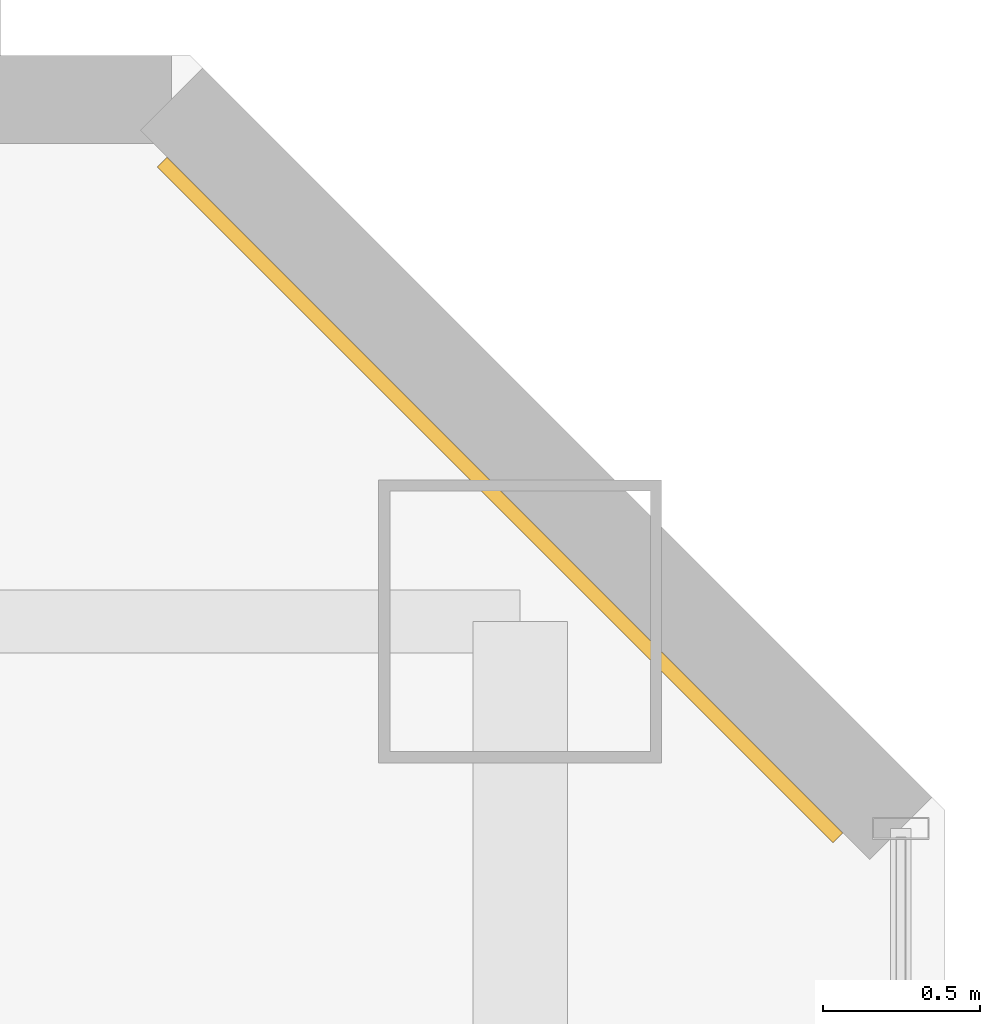
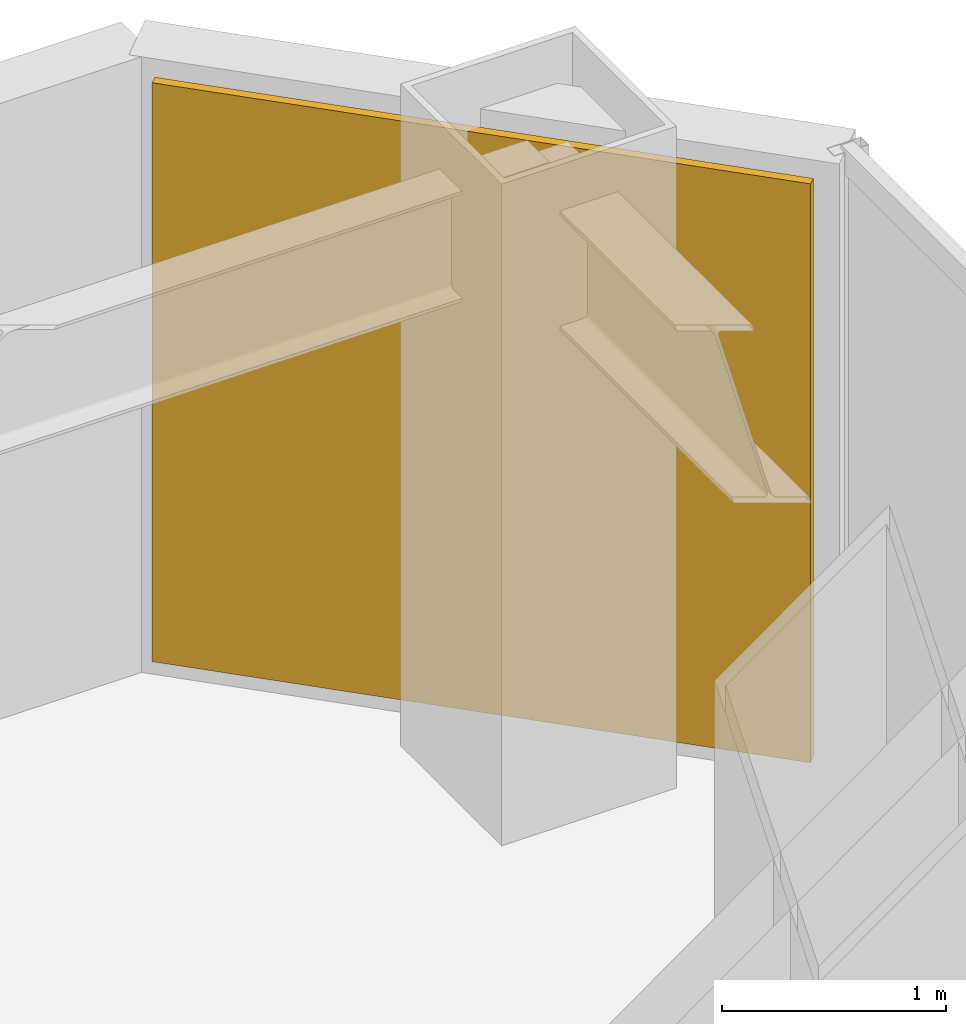
# One storey, part 31 of 31: 1 covering.
"""IFC4 building model written with IfcOpenShell, lengths in metres."""

import ifcopenshell
import ifcopenshell.guid

model = None  # the IFC model being written
_history = None  # IfcOwnerHistory: only IFC2X3 demands one
_inside = {}  # id of a spatial element -> (the spatial element, [elements in it])
_under = {}  # id of a project, library or spatial element -> (it, [spatial elements below it])
_declared = {}  # id of a project -> (the project, [libraries it declares])
_typed = {}  # id of a type object -> (the type object, [elements of that type])
_made_of = {}  # id of a material, layer set ... -> (it, [elements and type objects made of it])


def new_model(schema):
    """Start an empty IFC model of exactly this schema.

    Asked for "IFC4X3", IfcOpenShell would pick the latest addendum, in which some entities
    have other attributes; the version numbers below select the first issue.
    IFC2X3 requires an IfcOwnerHistory on every rooted entity: one is made here for all.
    """
    global model, _history
    if schema == "IFC4X3":
        model = ifcopenshell.file(schema_version=(4, 3, 0, 0))
    else:
        model = ifcopenshell.file(schema=schema)
    _inside.clear()
    _under.clear()
    _declared.clear()
    _typed.clear()
    _made_of.clear()
    _history = None
    if model.schema == "IFC2X3":
        org = make("IfcOrganization", Name="unknown")
        user = make(
            "IfcPersonAndOrganization",
            ThePerson=make("IfcPerson", FamilyName="unknown"),
            TheOrganization=org,
        )
        app = make(
            "IfcApplication",
            ApplicationDeveloper=org,
            Version="unknown",
            ApplicationFullName="unknown",
            ApplicationIdentifier="unknown",
        )
        _history = make(
            "IfcOwnerHistory",
            OwningUser=user,
            OwningApplication=app,
            ChangeAction="ADDED",
            CreationDate=0,
        )
    return model


def make(cls, **values):
    """One entity of the class cls with the attributes given. An attribute that is None is left unset."""
    return model.create_entity(
        cls, **{name: value for name, value in values.items() if value is not None}
    )


def rooted(cls, **values):
    """An entity with a GlobalId (a new one), such as an element, a storey or a relation."""
    return make(cls, GlobalId=ifcopenshell.guid.new(), OwnerHistory=_history, **values)


def si_unit(unit_type, name, prefix=None):
    """IfcSIUnit, for example si_unit("LENGTHUNIT", "METRE", prefix="MILLI")."""
    return make("IfcSIUnit", UnitType=unit_type, Prefix=prefix, Name=name)


def assignment(units):
    """IfcUnitAssignment: the units of a project."""
    return None if units is None else make("IfcUnitAssignment", Units=units)


def point(xyz):
    """IfcCartesianPoint."""
    return None if xyz is None else make("IfcCartesianPoint", Coordinates=xyz)


def direction(xyz):
    """IfcDirection."""
    return None if xyz is None else make("IfcDirection", DirectionRatios=xyz)


def frame(location, z_axis=None, x_axis=None):
    """IfcAxis2Placement3D, a coordinate frame: its origin and axes. An axis left out is left unset."""
    return make(
        "IfcAxis2Placement3D",
        Location=point(location),
        Axis=direction(z_axis),
        RefDirection=direction(x_axis),
    )


def frame_2d(location, x_axis=None):
    """IfcAxis2Placement2D, a coordinate frame in the plane: its origin and x axis."""
    return make(
        "IfcAxis2Placement2D", Location=point(location), RefDirection=direction(x_axis)
    )


def origin():
    """The frame at (0, 0, 0) with its axes left unset."""
    return frame((0.0, 0.0, 0.0))


def origin_2d():
    """The frame at (0, 0) in the plane with its x axis left unset."""
    return frame_2d((0.0, 0.0))


def place(relative_to, where):
    """IfcLocalPlacement: puts the frame where relative to a parent placement (None: the world)."""
    return make(
        "IfcLocalPlacement", PlacementRelTo=relative_to, RelativePlacement=where
    )


def context(
    kind, dimensions, precision=None, world=None, true_north=None, identifier=None
):
    """IfcGeometricRepresentationContext, for example the 3D "Model" context."""
    return make(
        "IfcGeometricRepresentationContext",
        ContextIdentifier=identifier,
        ContextType=kind,
        CoordinateSpaceDimension=dimensions,
        Precision=precision,
        WorldCoordinateSystem=world,
        TrueNorth=true_north,
    )


def subcontext(parent, identifier, kind, view, scale=None):
    """IfcGeometricRepresentationSubContext, for example "Body" below "Model"."""
    return make(
        "IfcGeometricRepresentationSubContext",
        ContextIdentifier=identifier,
        ContextType=kind,
        ParentContext=parent,
        TargetScale=scale,
        TargetView=view,
    )


def project(units=None, contexts=None):
    """IfcProject with its units and contexts."""
    return rooted(
        "IfcProject",
        Name="project",
        RepresentationContexts=contexts,
        UnitsInContext=assignment(units),
    )


def spatial(cls, under=None, at=None, **own):
    """A site, building, storey or space (cls), placed at a placement, below another one or the project."""
    s = rooted(cls, ObjectPlacement=at, **own)
    if under is not None:
        _under.setdefault(under.id(), (under, []))[1].append(s)
    return s


def profile(cls, at=None, kind="AREA", **sizes):
    """A parametric profile (cls). Its sizes go by their IFC names, for example OverallWidth=200.0."""
    return make(cls, ProfileType=kind, Position=at, **sizes)


def rectangle(**sizes):
    """IfcRectangleProfileDef."""
    return profile("IfcRectangleProfileDef", **sizes)


def extrude(swept, where, along, depth):
    """IfcExtrudedAreaSolid: the profile swept, set in the frame where, extruded along a direction by depth."""
    return make(
        "IfcExtrudedAreaSolid",
        SweptArea=swept,
        Position=where,
        ExtrudedDirection=direction(along),
        Depth=depth,
    )


def shape(context_of_items, identifier, shape_type, items):
    """IfcShapeRepresentation: the items that make up one representation, for example the "Body"."""
    return make(
        "IfcShapeRepresentation",
        ContextOfItems=context_of_items,
        RepresentationIdentifier=identifier,
        RepresentationType=shape_type,
        Items=items,
    )


def material(Name=None, Category=None):
    """IfcMaterial."""
    return make("IfcMaterial", Name=Name, Category=Category)


def layer(
    of_material, thickness, ventilated=None, Name=None, Category=None, Priority=None
):
    """IfcMaterialLayer: one layer of a wall or slab, of a material (None: an air gap)."""
    return make(
        "IfcMaterialLayer",
        Material=of_material,
        LayerThickness=thickness,
        IsVentilated=ventilated,
        Name=Name,
        Category=Category,
        Priority=Priority,
    )


def layer_set(layers, Name=None):
    """IfcMaterialLayerSet."""
    return make("IfcMaterialLayerSet", MaterialLayers=layers, LayerSetName=Name)


def made_of(thing, what):
    """Note that an element or type object is made of a material, layer set ...; save() writes the relation."""
    if what is not None:
        _made_of.setdefault(what.id(), (what, []))[1].append(thing)
    return thing


def type_object(cls, material=None, **own):
    """A type object (cls), such as IfcWallType, which elements share."""
    return made_of(rooted(cls, **own), material)


def element(
    cls,
    number,
    at=None,
    inside=None,
    cuts=None,
    type_object=None,
    material=None,
    context=None,
    identifier="Body",
    shape_type=None,
    held_by="IfcProductDefinitionShape",
    body=None,
    shapes=None,
    **own,
):
    """One element of the class cls, such as IfcWall. Its Tag is "e" and its number.

    at: its placement. inside: the storey or other place that contains it. cuts: it is an
    opening in that element (IfcRelVoidsElement). A single representation is given by context,
    identifier, shape_type and body (its items); several are given by shapes. held_by: the class
    of the entity that holds the representations. save() writes the other relations.
    """
    e = rooted(cls, Tag="e%d" % number, ObjectPlacement=at, **own)
    if body is not None:
        shapes = [shape(context, identifier, shape_type, body)]
    if shapes is not None:
        e.Representation = make(held_by, Representations=shapes)
    if inside is not None:
        _inside.setdefault(inside.id(), (inside, []))[1].append(e)
    if cuts is not None:
        rooted(
            "IfcRelVoidsElement", RelatingBuildingElement=cuts, RelatedOpeningElement=e
        )
    if type_object is not None:
        _typed.setdefault(type_object.id(), (type_object, []))[1].append(e)
    return made_of(e, material)


def aggregate(whole, parts):
    """IfcRelAggregates: a whole, such as a stair, and the parts it consists of."""
    return rooted("IfcRelAggregates", RelatingObject=whole, RelatedObjects=parts)


def save(model, path):
    """Write the relations noted so far, then the file.

    IfcRelAggregates (storeys below a building ...), IfcRelContainedInSpatialStructure (elements
    in a storey), IfcRelDefinesByType, IfcRelAssociatesMaterial and IfcRelDeclares: one each for
    every whole, place, type object, material and project.
    """
    for whole, parts in _under.values():
        aggregate(whole, parts)
    for where, things in _inside.values():
        rooted(
            "IfcRelContainedInSpatialStructure",
            RelatedElements=things,
            RelatingStructure=where,
        )
    for kind, things in _typed.values():
        rooted("IfcRelDefinesByType", RelatedObjects=things, RelatingType=kind)
    for what, things in _made_of.values():
        rooted("IfcRelAssociatesMaterial", RelatedObjects=things, RelatingMaterial=what)
    for by, libraries in _declared.values():
        rooted("IfcRelDeclares", RelatingContext=by, RelatedDefinitions=libraries)
    model.write(path)


model = new_model("IFC4")

# Units and contexts
model_context = context("Model", 3, precision=1e-05, world=origin(), true_north=direction((0.0, 1.0)))
body_context = subcontext(model_context, "Body", "Model", "MODEL_VIEW")
ifc_project = project(units=[si_unit("LENGTHUNIT", "METRE"), si_unit("AREAUNIT", "SQUARE_METRE"), si_unit("VOLUMEUNIT", "CUBIC_METRE"), si_unit("PLANEANGLEUNIT", "RADIAN"), si_unit("MASSUNIT", "GRAM", prefix="KILO")], contexts=[model_context])

# Site, building, storey
site_placement = place(None, origin())
site = spatial("IfcSite", under=ifc_project, at=site_placement, CompositionType="ELEMENT")
building_placement = place(site_placement, origin())
building = spatial("IfcBuilding", under=site, at=building_placement, Name="Hatsunagi Terrace Concourse", CompositionType="ELEMENT")
storey_placement = place(building_placement, frame((0.0, 0.0, 112.050048828125)))
storey = spatial("IfcBuildingStorey", under=building, at=storey_placement, Name="L29", CompositionType="ELEMENT", Elevation=112.050048828125)

# Covering
ifc_material = material(Name="Unglazed Warm Terracotta Rainscreen Tile", Category="masonry")
ifc_layer = layer(ifc_material, 0.044921875)
ifc_layer_set = layer_set([ifc_layer], Name="TerracottaRainscreenCladding_45")
covering_type = type_object("IfcCoveringType", Name="TerracottaRainscreenCladding_45", PredefinedType="CLADDING", material=ifc_layer_set)
covering_placement = place(storey_placement, frame((43.5859375, 48.986083984375, 0.10009765625), z_axis=(0.0, 0.0, 1.0), x_axis=(0.707106781187, -0.707106781187, 0.0)))
element("IfcCovering", 1, at=covering_placement, inside=storey, type_object=covering_type, Name="Terracotta Rainscreen Cladding L29-12", PredefinedType="CLADDING", context=body_context, shape_type="SweptSolid", body=[
    extrude(rectangle(XDim=3.0380859375, YDim=0.044921875, at=origin_2d()), origin(), (0.0, 0.0, 1.0), 3.14990234375),
])

save(model, "model.ifc")
